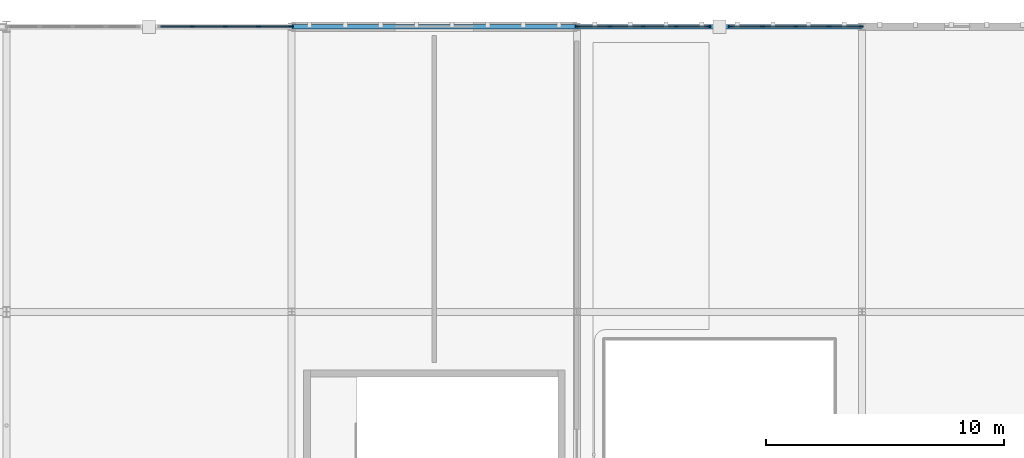
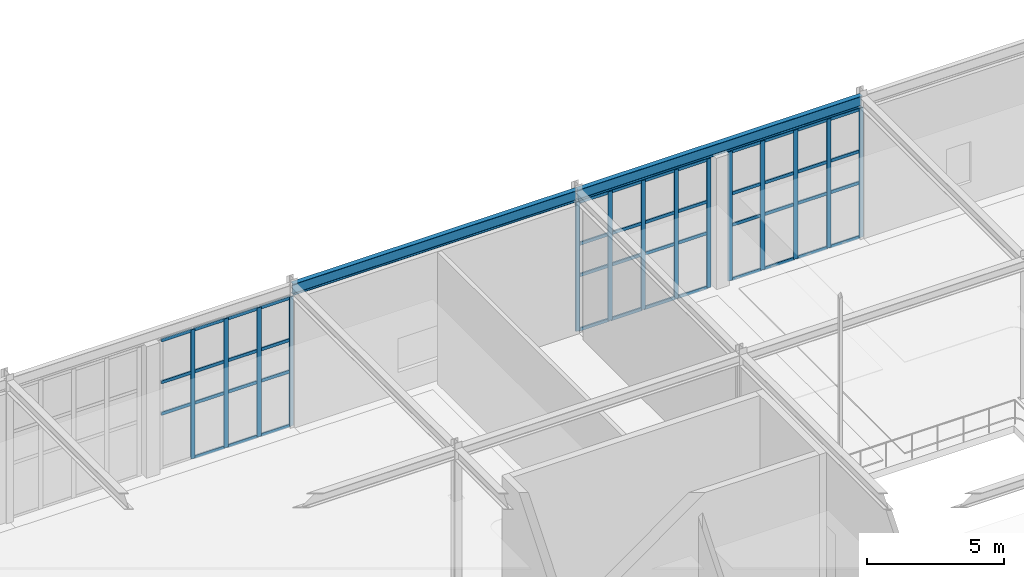
# One storey, part 23 of 62: 61 members, 2 beams, 3 elements without a shape of their own.
"""IFC4 building model written with IfcOpenShell, lengths in metres."""

from ifc_helpers import new_model, si_unit, direction, frame, origin, origin_2d, place, context, subcontext, project, spatial, rectangle, i_section, extrude, material, layer, layer_set, material_profile, profile_set, type_object, element, aggregate, save


model = new_model("IFC4")

# Units and contexts
model_context = context("Model", 3, precision=1e-05, world=origin(), true_north=direction((0.0, 1.0)))
body_context = subcontext(model_context, "Body", "Model", "MODEL_VIEW")
ifc_project = project(units=[si_unit("LENGTHUNIT", "METRE"), si_unit("AREAUNIT", "SQUARE_METRE"), si_unit("VOLUMEUNIT", "CUBIC_METRE"), si_unit("PLANEANGLEUNIT", "RADIAN"), si_unit("MASSUNIT", "GRAM", prefix="KILO")], contexts=[model_context])

# Site, building, storey
site_placement = place(None, origin())
site = spatial("IfcSite", under=ifc_project, at=site_placement, CompositionType="ELEMENT")
building_placement = place(site_placement, origin())
building = spatial("IfcBuilding", under=site, at=building_placement, Name="Zlatogorsky Bluff Art Gallery", CompositionType="ELEMENT")
storey_placement = place(building_placement, frame((0.0, 0.0, 16.800048828125)))
storey = spatial("IfcBuildingStorey", under=building, at=storey_placement, Name="L03", CompositionType="ELEMENT", Elevation=16.800048828125)

# Beams
ifc_material_1 = material(Name="Steel S355", Category="steel")
ifc_material_profile_1 = material_profile(ifc_material_1, i_section(OverallWidth=0.199951171875, OverallDepth=0.5, WebThickness=0.01025390625, FlangeThickness=0.01611328125, FilletRadius=0.02099609375, at=origin_2d()), Name="IPE 500")
ifc_profile_set_1 = profile_set([ifc_material_profile_1], Name="Steel S355")
beam_type = type_object("IfcBeamType", Name="Beam SP-01 IPE 500", PredefinedType="SPANDREL", material=ifc_profile_set_1)
for number, where, z_axis, x_axis, name in (
    (1, (36.014892578125, 120.0, 6.079833984375), (1.0, 0.0, 0.0), (0.0, 1.0, 0.0), "Primary girder SP-01 L03 D-E/12"),
    (2, (48.014892578125, 120.0, 6.079833984375), (1.0, 0.0, 0.0), (0.0, 1.0, 0.0), "Primary girder SP-01 L03 E-F/12"),
):
    element("IfcBeam", number, at=place(storey_placement, frame(where, z_axis=z_axis, x_axis=x_axis)), inside=storey, type_object=beam_type, Name=name, PredefinedType="SPANDREL", context=body_context, shape_type="SweptSolid", body=[
        extrude(i_section(OverallWidth=0.199951171875, OverallDepth=0.5, WebThickness=0.01025390625, FlangeThickness=0.01611328125, FilletRadius=0.02099609375, at=origin_2d()), origin(), (0.0, 0.0, 1.0), 11.97021484375),
    ])

# Curtain wall, members
ifc_material_2 = material(Name="Anodised Bronze Aluminium and Low-Iron Triple Glazing", Category="aluminium")
ifc_layer = layer(ifc_material_2, 0.199951171875)
ifc_layer_set = layer_set([ifc_layer], Name="Curtain Wall CW-02")
curtain_wall_type = type_object("IfcCurtainWallType", Name="Curtain Wall CW-02", PredefinedType="USERDEFINED", material=ifc_layer_set)
curtain_wall_1_placement = place(storey_placement, origin())
curtain_wall_1 = element("IfcCurtainWall", 3, at=curtain_wall_1_placement, inside=storey, type_object=curtain_wall_type, Name="Unitised curtain wall CW-02 L03 N 2.10-A", ObjectType="CURTAIN WALL", PredefinedType="USERDEFINED")
ifc_material_3 = material(Name="Anodised Bronze Aluminium", Category="aluminium")
ifc_material_profile_2 = material_profile(ifc_material_3, rectangle(XDim=0.06494140625, YDim=0.179931640625, at=origin_2d()), Name="ALU MULLION 65x180")
ifc_profile_set_2 = profile_set([ifc_material_profile_2], Name="Anodised Bronze Aluminium")
member_type_1 = type_object("IfcMemberType", Name="Curtain Mullion ML-01", PredefinedType="MULLION", material=ifc_profile_set_2)
member_1_placement = place(storey_placement, frame((35.967529296875, 120.0, 0.0), z_axis=(0.0, 0.0, 1.0), x_axis=(0.0, -1.0, 0.0)))
member_1 = element("IfcMember", 4, at=member_1_placement, type_object=member_type_1, Name="CW-02 mullion 1", PredefinedType="MULLION", context=body_context, shape_type="SweptSolid", body=[
    extrude(rectangle(XDim=0.06494140625, YDim=0.179931640625, at=origin_2d()), origin(), (0.0, 0.0, 1.0), 5.75),
])
member_2_placement = place(storey_placement, frame((34.60498046875, 120.0, 0.0), z_axis=(0.0, 0.0, 1.0), x_axis=(0.0, -1.0, 0.0)))
member_2 = element("IfcMember", 5, at=member_2_placement, type_object=member_type_1, Name="CW-02 mullion 2", PredefinedType="MULLION", context=body_context, shape_type="SweptSolid", body=[
    extrude(rectangle(XDim=0.06494140625, YDim=0.179931640625, at=origin_2d()), origin(), (0.0, 0.0, 1.0), 5.75),
])
member_3_placement = place(storey_placement, frame((33.2099609375, 120.0, 0.0), z_axis=(0.0, 0.0, 1.0), x_axis=(0.0, -1.0, 0.0)))
member_3 = element("IfcMember", 6, at=member_3_placement, type_object=member_type_1, Name="CW-02 mullion 3", PredefinedType="MULLION", context=body_context, shape_type="SweptSolid", body=[
    extrude(rectangle(XDim=0.06494140625, YDim=0.179931640625, at=origin_2d()), origin(), (0.0, 0.0, 1.0), 5.75),
])
member_4_placement = place(storey_placement, frame((31.81494140625, 120.0, 0.0), z_axis=(0.0, 0.0, 1.0), x_axis=(0.0, -1.0, 0.0)))
member_4 = element("IfcMember", 7, at=member_4_placement, type_object=member_type_1, Name="CW-02 mullion 4", PredefinedType="MULLION", context=body_context, shape_type="SweptSolid", body=[
    extrude(rectangle(XDim=0.06494140625, YDim=0.179931640625, at=origin_2d()), origin(), (0.0, 0.0, 1.0), 5.75),
])

curtain_wall_2_placement = place(storey_placement, origin())
curtain_wall_2 = element("IfcCurtainWall", 8, at=curtain_wall_2_placement, inside=storey, type_object=curtain_wall_type, Name="Unitised curtain wall CW-02 L03 N 4.10-A", ObjectType="CURTAIN WALL", PredefinedType="USERDEFINED")
member_5_placement = place(storey_placement, frame((59.967529296875, 120.0, 0.0), z_axis=(0.0, 0.0, 1.0), x_axis=(0.0, -1.0, 0.0)))
member_5 = element("IfcMember", 9, at=member_5_placement, type_object=member_type_1, Name="CW-02 mullion 1", PredefinedType="MULLION", context=body_context, shape_type="SweptSolid", body=[
    extrude(rectangle(XDim=0.06494140625, YDim=0.179931640625, at=origin_2d()), origin(), (0.0, 0.0, 1.0), 5.75),
])
member_6_placement = place(storey_placement, frame((58.60498046875, 120.0, 0.0), z_axis=(0.0, 0.0, 1.0), x_axis=(0.0, -1.0, 0.0)))
member_6 = element("IfcMember", 10, at=member_6_placement, type_object=member_type_1, Name="CW-02 mullion 2", PredefinedType="MULLION", context=body_context, shape_type="SweptSolid", body=[
    extrude(rectangle(XDim=0.06494140625, YDim=0.179931640625, at=origin_2d()), origin(), (0.0, 0.0, 1.0), 5.75),
])
member_7_placement = place(storey_placement, frame((57.2099609375, 120.0, 0.0), z_axis=(0.0, 0.0, 1.0), x_axis=(0.0, -1.0, 0.0)))
member_7 = element("IfcMember", 11, at=member_7_placement, type_object=member_type_1, Name="CW-02 mullion 3", PredefinedType="MULLION", context=body_context, shape_type="SweptSolid", body=[
    extrude(rectangle(XDim=0.06494140625, YDim=0.179931640625, at=origin_2d()), origin(), (0.0, 0.0, 1.0), 5.75),
])
member_8_placement = place(storey_placement, frame((55.81494140625, 120.0, 0.0), z_axis=(0.0, 0.0, 1.0), x_axis=(0.0, -1.0, 0.0)))
member_8 = element("IfcMember", 12, at=member_8_placement, type_object=member_type_1, Name="CW-02 mullion 4", PredefinedType="MULLION", context=body_context, shape_type="SweptSolid", body=[
    extrude(rectangle(XDim=0.06494140625, YDim=0.179931640625, at=origin_2d()), origin(), (0.0, 0.0, 1.0), 5.75),
])
member_9_placement = place(storey_placement, frame((54.452392578125, 120.0, 0.0), z_axis=(0.0, 0.0, 1.0), x_axis=(0.0, -1.0, 0.0)))
member_9 = element("IfcMember", 13, at=member_9_placement, type_object=member_type_1, Name="CW-02 mullion 5", PredefinedType="MULLION", context=body_context, shape_type="SweptSolid", body=[
    extrude(rectangle(XDim=0.06494140625, YDim=0.179931640625, at=origin_2d()), origin(), (0.0, 0.0, 1.0), 5.75),
])

curtain_wall_3_placement = place(storey_placement, origin())
curtain_wall_3 = element("IfcCurtainWall", 14, at=curtain_wall_3_placement, inside=storey, type_object=curtain_wall_type, Name="Unitised curtain wall CW-02 L03 N 4.10-B", ObjectType="CURTAIN WALL", PredefinedType="USERDEFINED")
member_10_placement = place(storey_placement, frame((53.547607421875, 120.0, 0.0), z_axis=(0.0, 0.0, 1.0), x_axis=(0.0, -1.0, 0.0)))
member_10 = element("IfcMember", 15, at=member_10_placement, type_object=member_type_1, Name="CW-02 mullion 1", PredefinedType="MULLION", context=body_context, shape_type="SweptSolid", body=[
    extrude(rectangle(XDim=0.06494140625, YDim=0.179931640625, at=origin_2d()), origin(), (0.0, 0.0, 1.0), 5.75),
])
member_11_placement = place(storey_placement, frame((52.18505859375, 120.0, 0.0), z_axis=(0.0, 0.0, 1.0), x_axis=(0.0, -1.0, 0.0)))
member_11 = element("IfcMember", 16, at=member_11_placement, type_object=member_type_1, Name="CW-02 mullion 2", PredefinedType="MULLION", context=body_context, shape_type="SweptSolid", body=[
    extrude(rectangle(XDim=0.06494140625, YDim=0.179931640625, at=origin_2d()), origin(), (0.0, 0.0, 1.0), 5.75),
])
member_12_placement = place(storey_placement, frame((50.7900390625, 120.0, 0.0), z_axis=(0.0, 0.0, 1.0), x_axis=(0.0, -1.0, 0.0)))
member_12 = element("IfcMember", 17, at=member_12_placement, type_object=member_type_1, Name="CW-02 mullion 3", PredefinedType="MULLION", context=body_context, shape_type="SweptSolid", body=[
    extrude(rectangle(XDim=0.06494140625, YDim=0.179931640625, at=origin_2d()), origin(), (0.0, 0.0, 1.0), 5.75),
])
member_13_placement = place(storey_placement, frame((49.39501953125, 120.0, 0.0), z_axis=(0.0, 0.0, 1.0), x_axis=(0.0, -1.0, 0.0)))
member_13 = element("IfcMember", 18, at=member_13_placement, type_object=member_type_1, Name="CW-02 mullion 4", PredefinedType="MULLION", context=body_context, shape_type="SweptSolid", body=[
    extrude(rectangle(XDim=0.06494140625, YDim=0.179931640625, at=origin_2d()), origin(), (0.0, 0.0, 1.0), 5.75),
])
member_14_placement = place(storey_placement, frame((48.032470703125, 120.0, 0.0), z_axis=(0.0, 0.0, 1.0), x_axis=(0.0, -1.0, 0.0)))
member_14 = element("IfcMember", 19, at=member_14_placement, type_object=member_type_1, Name="CW-02 mullion 5", PredefinedType="MULLION", context=body_context, shape_type="SweptSolid", body=[
    extrude(rectangle(XDim=0.06494140625, YDim=0.179931640625, at=origin_2d()), origin(), (0.0, 0.0, 1.0), 5.75),
])

# Member
ifc_material_profile_3 = material_profile(ifc_material_3, rectangle(XDim=0.06494140625, YDim=0.139892578125, at=origin_2d()), Name="ALU TRANSOM 65x140")
ifc_profile_set_3 = profile_set([ifc_material_profile_3], Name="Anodised Bronze Aluminium")
member_type_2 = type_object("IfcMemberType", Name="Curtain Transom TR-01", PredefinedType="USERDEFINED", material=ifc_profile_set_3)
member_15_placement = place(storey_placement, frame((35.93505859375, 120.0, 0.032470703125), z_axis=(-1.0, 0.0, 0.0), x_axis=(0.0, -1.0, 0.0)))
member_15 = element("IfcMember", 20, at=member_15_placement, type_object=member_type_2, Name="CW-02 transom 1.1", ObjectType="TRANSOM", PredefinedType="USERDEFINED", context=body_context, shape_type="SweptSolid", body=[
    extrude(rectangle(XDim=0.06494140625, YDim=0.139892578125, at=origin_2d()), origin(), (0.0, 0.0, 1.0), 1.297607421875),
])

member_16_placement = place(storey_placement, frame((35.93505859375, 120.0, 2.449951171875), z_axis=(-1.0, 0.0, 0.0), x_axis=(0.0, -1.0, 0.0)))
member_16 = element("IfcMember", 21, at=member_16_placement, type_object=member_type_2, Name="CW-02 transom 1.2", ObjectType="TRANSOM", PredefinedType="USERDEFINED", context=body_context, shape_type="SweptSolid", body=[
    extrude(rectangle(XDim=0.06494140625, YDim=0.139892578125, at=origin_2d()), origin(), (0.0, 0.0, 1.0), 1.297607421875),
])

member_17_placement = place(storey_placement, frame((35.93505859375, 120.0, 3.849853515625), z_axis=(-1.0, 0.0, 0.0), x_axis=(0.0, -1.0, 0.0)))
member_17 = element("IfcMember", 22, at=member_17_placement, type_object=member_type_2, Name="CW-02 transom 1.3", ObjectType="TRANSOM", PredefinedType="USERDEFINED", context=body_context, shape_type="SweptSolid", body=[
    extrude(rectangle(XDim=0.06494140625, YDim=0.139892578125, at=origin_2d()), origin(), (0.0, 0.0, 1.0), 1.297607421875),
])

member_18_placement = place(storey_placement, frame((35.93505859375, 120.0, 5.717529296875), z_axis=(-1.0, 0.0, 0.0), x_axis=(0.0, -1.0, 0.0)))
member_18 = element("IfcMember", 23, at=member_18_placement, type_object=member_type_2, Name="CW-02 transom 1.4", ObjectType="TRANSOM", PredefinedType="USERDEFINED", context=body_context, shape_type="SweptSolid", body=[
    extrude(rectangle(XDim=0.06494140625, YDim=0.139892578125, at=origin_2d()), origin(), (0.0, 0.0, 1.0), 1.297607421875),
])

member_19_placement = place(storey_placement, frame((34.572509765625, 120.0, 0.032470703125), z_axis=(-1.0, 0.0, 0.0), x_axis=(0.0, -1.0, 0.0)))
member_19 = element("IfcMember", 24, at=member_19_placement, type_object=member_type_2, Name="CW-02 transom 2.1", ObjectType="TRANSOM", PredefinedType="USERDEFINED", context=body_context, shape_type="SweptSolid", body=[
    extrude(rectangle(XDim=0.06494140625, YDim=0.139892578125, at=origin_2d()), origin(), (0.0, 0.0, 1.0), 1.330078125),
])

member_20_placement = place(storey_placement, frame((34.572509765625, 120.0, 2.449951171875), z_axis=(-1.0, 0.0, 0.0), x_axis=(0.0, -1.0, 0.0)))
member_20 = element("IfcMember", 25, at=member_20_placement, type_object=member_type_2, Name="CW-02 transom 2.2", ObjectType="TRANSOM", PredefinedType="USERDEFINED", context=body_context, shape_type="SweptSolid", body=[
    extrude(rectangle(XDim=0.06494140625, YDim=0.139892578125, at=origin_2d()), origin(), (0.0, 0.0, 1.0), 1.330078125),
])

member_21_placement = place(storey_placement, frame((34.572509765625, 120.0, 3.849853515625), z_axis=(-1.0, 0.0, 0.0), x_axis=(0.0, -1.0, 0.0)))
member_21 = element("IfcMember", 26, at=member_21_placement, type_object=member_type_2, Name="CW-02 transom 2.3", ObjectType="TRANSOM", PredefinedType="USERDEFINED", context=body_context, shape_type="SweptSolid", body=[
    extrude(rectangle(XDim=0.06494140625, YDim=0.139892578125, at=origin_2d()), origin(), (0.0, 0.0, 1.0), 1.330078125),
])

member_22_placement = place(storey_placement, frame((34.572509765625, 120.0, 5.717529296875), z_axis=(-1.0, 0.0, 0.0), x_axis=(0.0, -1.0, 0.0)))
member_22 = element("IfcMember", 27, at=member_22_placement, type_object=member_type_2, Name="CW-02 transom 2.4", ObjectType="TRANSOM", PredefinedType="USERDEFINED", context=body_context, shape_type="SweptSolid", body=[
    extrude(rectangle(XDim=0.06494140625, YDim=0.139892578125, at=origin_2d()), origin(), (0.0, 0.0, 1.0), 1.330078125),
])

member_23_placement = place(storey_placement, frame((33.177490234375, 120.0, 0.032470703125), z_axis=(-1.0, 0.0, 0.0), x_axis=(0.0, -1.0, 0.0)))
member_23 = element("IfcMember", 28, at=member_23_placement, type_object=member_type_2, Name="CW-02 transom 3.1", ObjectType="TRANSOM", PredefinedType="USERDEFINED", context=body_context, shape_type="SweptSolid", body=[
    extrude(rectangle(XDim=0.06494140625, YDim=0.139892578125, at=origin_2d()), origin(), (0.0, 0.0, 1.0), 1.330078125),
])

member_24_placement = place(storey_placement, frame((33.177490234375, 120.0, 2.449951171875), z_axis=(-1.0, 0.0, 0.0), x_axis=(0.0, -1.0, 0.0)))
member_24 = element("IfcMember", 29, at=member_24_placement, type_object=member_type_2, Name="CW-02 transom 3.2", ObjectType="TRANSOM", PredefinedType="USERDEFINED", context=body_context, shape_type="SweptSolid", body=[
    extrude(rectangle(XDim=0.06494140625, YDim=0.139892578125, at=origin_2d()), origin(), (0.0, 0.0, 1.0), 1.330078125),
])

member_25_placement = place(storey_placement, frame((33.177490234375, 120.0, 3.849853515625), z_axis=(-1.0, 0.0, 0.0), x_axis=(0.0, -1.0, 0.0)))
member_25 = element("IfcMember", 30, at=member_25_placement, type_object=member_type_2, Name="CW-02 transom 3.3", ObjectType="TRANSOM", PredefinedType="USERDEFINED", context=body_context, shape_type="SweptSolid", body=[
    extrude(rectangle(XDim=0.06494140625, YDim=0.139892578125, at=origin_2d()), origin(), (0.0, 0.0, 1.0), 1.330078125),
])

member_26_placement = place(storey_placement, frame((33.177490234375, 120.0, 5.717529296875), z_axis=(-1.0, 0.0, 0.0), x_axis=(0.0, -1.0, 0.0)))
member_26 = element("IfcMember", 31, at=member_26_placement, type_object=member_type_2, Name="CW-02 transom 3.4", ObjectType="TRANSOM", PredefinedType="USERDEFINED", context=body_context, shape_type="SweptSolid", body=[
    extrude(rectangle(XDim=0.06494140625, YDim=0.139892578125, at=origin_2d()), origin(), (0.0, 0.0, 1.0), 1.330078125),
])

member_27_placement = place(storey_placement, frame((31.782470703125, 120.0, 2.449951171875), z_axis=(-1.0, 0.0, 0.0), x_axis=(0.0, -1.0, 0.0)))
member_27 = element("IfcMember", 32, at=member_27_placement, type_object=member_type_2, Name="CW-02 transom 4.2", ObjectType="TRANSOM", PredefinedType="USERDEFINED", context=body_context, shape_type="SweptSolid", body=[
    extrude(rectangle(XDim=0.06494140625, YDim=0.139892578125, at=origin_2d()), origin(), (0.0, 0.0, 1.0), 1.29736328125),
])

member_28_placement = place(storey_placement, frame((31.782470703125, 120.0, 3.849853515625), z_axis=(-1.0, 0.0, 0.0), x_axis=(0.0, -1.0, 0.0)))
member_28 = element("IfcMember", 33, at=member_28_placement, type_object=member_type_2, Name="CW-02 transom 4.3", ObjectType="TRANSOM", PredefinedType="USERDEFINED", context=body_context, shape_type="SweptSolid", body=[
    extrude(rectangle(XDim=0.06494140625, YDim=0.139892578125, at=origin_2d()), origin(), (0.0, 0.0, 1.0), 1.29736328125),
])

member_29_placement = place(storey_placement, frame((31.782470703125, 120.0, 5.717529296875), z_axis=(-1.0, 0.0, 0.0), x_axis=(0.0, -1.0, 0.0)))
member_29 = element("IfcMember", 34, at=member_29_placement, type_object=member_type_2, Name="CW-02 transom 4.4", ObjectType="TRANSOM", PredefinedType="USERDEFINED", context=body_context, shape_type="SweptSolid", body=[
    extrude(rectangle(XDim=0.06494140625, YDim=0.139892578125, at=origin_2d()), origin(), (0.0, 0.0, 1.0), 1.29736328125),
])

aggregate(curtain_wall_1, [member_1, member_2, member_3, member_4, member_15, member_16, member_17, member_18, member_19, member_20, member_21, member_22, member_23, member_24, member_25, member_26, member_27, member_28, member_29])

member_30_placement = place(storey_placement, frame((59.93505859375, 120.0, 0.032470703125), z_axis=(-1.0, 0.0, 0.0), x_axis=(0.0, -1.0, 0.0)))
member_30 = element("IfcMember", 35, at=member_30_placement, type_object=member_type_2, Name="CW-02 transom 1.1", ObjectType="TRANSOM", PredefinedType="USERDEFINED", context=body_context, shape_type="SweptSolid", body=[
    extrude(rectangle(XDim=0.06494140625, YDim=0.139892578125, at=origin_2d()), origin(), (0.0, 0.0, 1.0), 1.297607421875),
])

member_31_placement = place(storey_placement, frame((59.93505859375, 120.0, 2.449951171875), z_axis=(-1.0, 0.0, 0.0), x_axis=(0.0, -1.0, 0.0)))
member_31 = element("IfcMember", 36, at=member_31_placement, type_object=member_type_2, Name="CW-02 transom 1.2", ObjectType="TRANSOM", PredefinedType="USERDEFINED", context=body_context, shape_type="SweptSolid", body=[
    extrude(rectangle(XDim=0.06494140625, YDim=0.139892578125, at=origin_2d()), origin(), (0.0, 0.0, 1.0), 1.297607421875),
])

member_32_placement = place(storey_placement, frame((59.93505859375, 120.0, 3.849853515625), z_axis=(-1.0, 0.0, 0.0), x_axis=(0.0, -1.0, 0.0)))
member_32 = element("IfcMember", 37, at=member_32_placement, type_object=member_type_2, Name="CW-02 transom 1.3", ObjectType="TRANSOM", PredefinedType="USERDEFINED", context=body_context, shape_type="SweptSolid", body=[
    extrude(rectangle(XDim=0.06494140625, YDim=0.139892578125, at=origin_2d()), origin(), (0.0, 0.0, 1.0), 1.297607421875),
])

member_33_placement = place(storey_placement, frame((59.93505859375, 120.0, 5.717529296875), z_axis=(-1.0, 0.0, 0.0), x_axis=(0.0, -1.0, 0.0)))
member_33 = element("IfcMember", 38, at=member_33_placement, type_object=member_type_2, Name="CW-02 transom 1.4", ObjectType="TRANSOM", PredefinedType="USERDEFINED", context=body_context, shape_type="SweptSolid", body=[
    extrude(rectangle(XDim=0.06494140625, YDim=0.139892578125, at=origin_2d()), origin(), (0.0, 0.0, 1.0), 1.297607421875),
])

member_34_placement = place(storey_placement, frame((58.572509765625, 120.0, 0.032470703125), z_axis=(-1.0, 0.0, 0.0), x_axis=(0.0, -1.0, 0.0)))
member_34 = element("IfcMember", 39, at=member_34_placement, type_object=member_type_2, Name="CW-02 transom 2.1", ObjectType="TRANSOM", PredefinedType="USERDEFINED", context=body_context, shape_type="SweptSolid", body=[
    extrude(rectangle(XDim=0.06494140625, YDim=0.139892578125, at=origin_2d()), origin(), (0.0, 0.0, 1.0), 1.330078125),
])

member_35_placement = place(storey_placement, frame((58.572509765625, 120.0, 2.449951171875), z_axis=(-1.0, 0.0, 0.0), x_axis=(0.0, -1.0, 0.0)))
member_35 = element("IfcMember", 40, at=member_35_placement, type_object=member_type_2, Name="CW-02 transom 2.2", ObjectType="TRANSOM", PredefinedType="USERDEFINED", context=body_context, shape_type="SweptSolid", body=[
    extrude(rectangle(XDim=0.06494140625, YDim=0.139892578125, at=origin_2d()), origin(), (0.0, 0.0, 1.0), 1.330078125),
])

member_36_placement = place(storey_placement, frame((58.572509765625, 120.0, 3.849853515625), z_axis=(-1.0, 0.0, 0.0), x_axis=(0.0, -1.0, 0.0)))
member_36 = element("IfcMember", 41, at=member_36_placement, type_object=member_type_2, Name="CW-02 transom 2.3", ObjectType="TRANSOM", PredefinedType="USERDEFINED", context=body_context, shape_type="SweptSolid", body=[
    extrude(rectangle(XDim=0.06494140625, YDim=0.139892578125, at=origin_2d()), origin(), (0.0, 0.0, 1.0), 1.330078125),
])

member_37_placement = place(storey_placement, frame((58.572509765625, 120.0, 5.717529296875), z_axis=(-1.0, 0.0, 0.0), x_axis=(0.0, -1.0, 0.0)))
member_37 = element("IfcMember", 42, at=member_37_placement, type_object=member_type_2, Name="CW-02 transom 2.4", ObjectType="TRANSOM", PredefinedType="USERDEFINED", context=body_context, shape_type="SweptSolid", body=[
    extrude(rectangle(XDim=0.06494140625, YDim=0.139892578125, at=origin_2d()), origin(), (0.0, 0.0, 1.0), 1.330078125),
])

member_38_placement = place(storey_placement, frame((57.177490234375, 120.0, 0.032470703125), z_axis=(-1.0, 0.0, 0.0), x_axis=(0.0, -1.0, 0.0)))
member_38 = element("IfcMember", 43, at=member_38_placement, type_object=member_type_2, Name="CW-02 transom 3.1", ObjectType="TRANSOM", PredefinedType="USERDEFINED", context=body_context, shape_type="SweptSolid", body=[
    extrude(rectangle(XDim=0.06494140625, YDim=0.139892578125, at=origin_2d()), origin(), (0.0, 0.0, 1.0), 1.330078125),
])

member_39_placement = place(storey_placement, frame((57.177490234375, 120.0, 2.449951171875), z_axis=(-1.0, 0.0, 0.0), x_axis=(0.0, -1.0, 0.0)))
member_39 = element("IfcMember", 44, at=member_39_placement, type_object=member_type_2, Name="CW-02 transom 3.2", ObjectType="TRANSOM", PredefinedType="USERDEFINED", context=body_context, shape_type="SweptSolid", body=[
    extrude(rectangle(XDim=0.06494140625, YDim=0.139892578125, at=origin_2d()), origin(), (0.0, 0.0, 1.0), 1.330078125),
])

member_40_placement = place(storey_placement, frame((57.177490234375, 120.0, 3.849853515625), z_axis=(-1.0, 0.0, 0.0), x_axis=(0.0, -1.0, 0.0)))
member_40 = element("IfcMember", 45, at=member_40_placement, type_object=member_type_2, Name="CW-02 transom 3.3", ObjectType="TRANSOM", PredefinedType="USERDEFINED", context=body_context, shape_type="SweptSolid", body=[
    extrude(rectangle(XDim=0.06494140625, YDim=0.139892578125, at=origin_2d()), origin(), (0.0, 0.0, 1.0), 1.330078125),
])

member_41_placement = place(storey_placement, frame((57.177490234375, 120.0, 5.717529296875), z_axis=(-1.0, 0.0, 0.0), x_axis=(0.0, -1.0, 0.0)))
member_41 = element("IfcMember", 46, at=member_41_placement, type_object=member_type_2, Name="CW-02 transom 3.4", ObjectType="TRANSOM", PredefinedType="USERDEFINED", context=body_context, shape_type="SweptSolid", body=[
    extrude(rectangle(XDim=0.06494140625, YDim=0.139892578125, at=origin_2d()), origin(), (0.0, 0.0, 1.0), 1.330078125),
])

member_42_placement = place(storey_placement, frame((55.782470703125, 120.0, 0.032470703125), z_axis=(-1.0, 0.0, 0.0), x_axis=(0.0, -1.0, 0.0)))
member_42 = element("IfcMember", 47, at=member_42_placement, type_object=member_type_2, Name="CW-02 transom 4.1", ObjectType="TRANSOM", PredefinedType="USERDEFINED", context=body_context, shape_type="SweptSolid", body=[
    extrude(rectangle(XDim=0.06494140625, YDim=0.139892578125, at=origin_2d()), origin(), (0.0, 0.0, 1.0), 1.29736328125),
])

member_43_placement = place(storey_placement, frame((55.782470703125, 120.0, 2.449951171875), z_axis=(-1.0, 0.0, 0.0), x_axis=(0.0, -1.0, 0.0)))
member_43 = element("IfcMember", 48, at=member_43_placement, type_object=member_type_2, Name="CW-02 transom 4.2", ObjectType="TRANSOM", PredefinedType="USERDEFINED", context=body_context, shape_type="SweptSolid", body=[
    extrude(rectangle(XDim=0.06494140625, YDim=0.139892578125, at=origin_2d()), origin(), (0.0, 0.0, 1.0), 1.29736328125),
])

member_44_placement = place(storey_placement, frame((55.782470703125, 120.0, 3.849853515625), z_axis=(-1.0, 0.0, 0.0), x_axis=(0.0, -1.0, 0.0)))
member_44 = element("IfcMember", 49, at=member_44_placement, type_object=member_type_2, Name="CW-02 transom 4.3", ObjectType="TRANSOM", PredefinedType="USERDEFINED", context=body_context, shape_type="SweptSolid", body=[
    extrude(rectangle(XDim=0.06494140625, YDim=0.139892578125, at=origin_2d()), origin(), (0.0, 0.0, 1.0), 1.29736328125),
])

member_45_placement = place(storey_placement, frame((55.782470703125, 120.0, 5.717529296875), z_axis=(-1.0, 0.0, 0.0), x_axis=(0.0, -1.0, 0.0)))
member_45 = element("IfcMember", 50, at=member_45_placement, type_object=member_type_2, Name="CW-02 transom 4.4", ObjectType="TRANSOM", PredefinedType="USERDEFINED", context=body_context, shape_type="SweptSolid", body=[
    extrude(rectangle(XDim=0.06494140625, YDim=0.139892578125, at=origin_2d()), origin(), (0.0, 0.0, 1.0), 1.29736328125),
])

aggregate(curtain_wall_2, [member_5, member_6, member_7, member_8, member_9, member_30, member_31, member_32, member_33, member_34, member_35, member_36, member_37, member_38, member_39, member_40, member_41, member_42, member_43, member_44, member_45])

member_46_placement = place(storey_placement, frame((53.514892578125, 120.0, 0.032470703125), z_axis=(-1.0, 0.0, 0.0), x_axis=(0.0, -1.0, 0.0)))
member_46 = element("IfcMember", 51, at=member_46_placement, type_object=member_type_2, Name="CW-02 transom 1.1", ObjectType="TRANSOM", PredefinedType="USERDEFINED", context=body_context, shape_type="SweptSolid", body=[
    extrude(rectangle(XDim=0.06494140625, YDim=0.139892578125, at=origin_2d()), origin(), (0.0, 0.0, 1.0), 1.29736328125),
])

member_47_placement = place(storey_placement, frame((53.514892578125, 120.0, 2.449951171875), z_axis=(-1.0, 0.0, 0.0), x_axis=(0.0, -1.0, 0.0)))
member_47 = element("IfcMember", 52, at=member_47_placement, type_object=member_type_2, Name="CW-02 transom 1.2", ObjectType="TRANSOM", PredefinedType="USERDEFINED", context=body_context, shape_type="SweptSolid", body=[
    extrude(rectangle(XDim=0.06494140625, YDim=0.139892578125, at=origin_2d()), origin(), (0.0, 0.0, 1.0), 1.29736328125),
])

member_48_placement = place(storey_placement, frame((53.514892578125, 120.0, 3.849853515625), z_axis=(-1.0, 0.0, 0.0), x_axis=(0.0, -1.0, 0.0)))
member_48 = element("IfcMember", 53, at=member_48_placement, type_object=member_type_2, Name="CW-02 transom 1.3", ObjectType="TRANSOM", PredefinedType="USERDEFINED", context=body_context, shape_type="SweptSolid", body=[
    extrude(rectangle(XDim=0.06494140625, YDim=0.139892578125, at=origin_2d()), origin(), (0.0, 0.0, 1.0), 1.29736328125),
])

member_49_placement = place(storey_placement, frame((53.514892578125, 120.0, 5.717529296875), z_axis=(-1.0, 0.0, 0.0), x_axis=(0.0, -1.0, 0.0)))
member_49 = element("IfcMember", 54, at=member_49_placement, type_object=member_type_2, Name="CW-02 transom 1.4", ObjectType="TRANSOM", PredefinedType="USERDEFINED", context=body_context, shape_type="SweptSolid", body=[
    extrude(rectangle(XDim=0.06494140625, YDim=0.139892578125, at=origin_2d()), origin(), (0.0, 0.0, 1.0), 1.29736328125),
])

member_50_placement = place(storey_placement, frame((52.152587890625, 120.0, 0.032470703125), z_axis=(-1.0, 0.0, 0.0), x_axis=(0.0, -1.0, 0.0)))
member_50 = element("IfcMember", 55, at=member_50_placement, type_object=member_type_2, Name="CW-02 transom 2.1", ObjectType="TRANSOM", PredefinedType="USERDEFINED", context=body_context, shape_type="SweptSolid", body=[
    extrude(rectangle(XDim=0.06494140625, YDim=0.139892578125, at=origin_2d()), origin(), (0.0, 0.0, 1.0), 1.330078125),
])

member_51_placement = place(storey_placement, frame((52.152587890625, 120.0, 2.449951171875), z_axis=(-1.0, 0.0, 0.0), x_axis=(0.0, -1.0, 0.0)))
member_51 = element("IfcMember", 56, at=member_51_placement, type_object=member_type_2, Name="CW-02 transom 2.2", ObjectType="TRANSOM", PredefinedType="USERDEFINED", context=body_context, shape_type="SweptSolid", body=[
    extrude(rectangle(XDim=0.06494140625, YDim=0.139892578125, at=origin_2d()), origin(), (0.0, 0.0, 1.0), 1.330078125),
])

member_52_placement = place(storey_placement, frame((52.152587890625, 120.0, 3.849853515625), z_axis=(-1.0, 0.0, 0.0), x_axis=(0.0, -1.0, 0.0)))
member_52 = element("IfcMember", 57, at=member_52_placement, type_object=member_type_2, Name="CW-02 transom 2.3", ObjectType="TRANSOM", PredefinedType="USERDEFINED", context=body_context, shape_type="SweptSolid", body=[
    extrude(rectangle(XDim=0.06494140625, YDim=0.139892578125, at=origin_2d()), origin(), (0.0, 0.0, 1.0), 1.330078125),
])

member_53_placement = place(storey_placement, frame((52.152587890625, 120.0, 5.717529296875), z_axis=(-1.0, 0.0, 0.0), x_axis=(0.0, -1.0, 0.0)))
member_53 = element("IfcMember", 58, at=member_53_placement, type_object=member_type_2, Name="CW-02 transom 2.4", ObjectType="TRANSOM", PredefinedType="USERDEFINED", context=body_context, shape_type="SweptSolid", body=[
    extrude(rectangle(XDim=0.06494140625, YDim=0.139892578125, at=origin_2d()), origin(), (0.0, 0.0, 1.0), 1.330078125),
])

member_54_placement = place(storey_placement, frame((50.757568359375, 120.0, 0.032470703125), z_axis=(-1.0, 0.0, 0.0), x_axis=(0.0, -1.0, 0.0)))
member_54 = element("IfcMember", 59, at=member_54_placement, type_object=member_type_2, Name="CW-02 transom 3.1", ObjectType="TRANSOM", PredefinedType="USERDEFINED", context=body_context, shape_type="SweptSolid", body=[
    extrude(rectangle(XDim=0.06494140625, YDim=0.139892578125, at=origin_2d()), origin(), (0.0, 0.0, 1.0), 1.330078125),
])

member_55_placement = place(storey_placement, frame((50.757568359375, 120.0, 2.449951171875), z_axis=(-1.0, 0.0, 0.0), x_axis=(0.0, -1.0, 0.0)))
member_55 = element("IfcMember", 60, at=member_55_placement, type_object=member_type_2, Name="CW-02 transom 3.2", ObjectType="TRANSOM", PredefinedType="USERDEFINED", context=body_context, shape_type="SweptSolid", body=[
    extrude(rectangle(XDim=0.06494140625, YDim=0.139892578125, at=origin_2d()), origin(), (0.0, 0.0, 1.0), 1.330078125),
])

member_56_placement = place(storey_placement, frame((50.757568359375, 120.0, 3.849853515625), z_axis=(-1.0, 0.0, 0.0), x_axis=(0.0, -1.0, 0.0)))
member_56 = element("IfcMember", 61, at=member_56_placement, type_object=member_type_2, Name="CW-02 transom 3.3", ObjectType="TRANSOM", PredefinedType="USERDEFINED", context=body_context, shape_type="SweptSolid", body=[
    extrude(rectangle(XDim=0.06494140625, YDim=0.139892578125, at=origin_2d()), origin(), (0.0, 0.0, 1.0), 1.330078125),
])

member_57_placement = place(storey_placement, frame((50.757568359375, 120.0, 5.717529296875), z_axis=(-1.0, 0.0, 0.0), x_axis=(0.0, -1.0, 0.0)))
member_57 = element("IfcMember", 62, at=member_57_placement, type_object=member_type_2, Name="CW-02 transom 3.4", ObjectType="TRANSOM", PredefinedType="USERDEFINED", context=body_context, shape_type="SweptSolid", body=[
    extrude(rectangle(XDim=0.06494140625, YDim=0.139892578125, at=origin_2d()), origin(), (0.0, 0.0, 1.0), 1.330078125),
])

member_58_placement = place(storey_placement, frame((49.362548828125, 120.0, 0.032470703125), z_axis=(-1.0, 0.0, 0.0), x_axis=(0.0, -1.0, 0.0)))
member_58 = element("IfcMember", 63, at=member_58_placement, type_object=member_type_2, Name="CW-02 transom 4.1", ObjectType="TRANSOM", PredefinedType="USERDEFINED", context=body_context, shape_type="SweptSolid", body=[
    extrude(rectangle(XDim=0.06494140625, YDim=0.139892578125, at=origin_2d()), origin(), (0.0, 0.0, 1.0), 1.297607421875),
])

member_59_placement = place(storey_placement, frame((49.362548828125, 120.0, 2.449951171875), z_axis=(-1.0, 0.0, 0.0), x_axis=(0.0, -1.0, 0.0)))
member_59 = element("IfcMember", 64, at=member_59_placement, type_object=member_type_2, Name="CW-02 transom 4.2", ObjectType="TRANSOM", PredefinedType="USERDEFINED", context=body_context, shape_type="SweptSolid", body=[
    extrude(rectangle(XDim=0.06494140625, YDim=0.139892578125, at=origin_2d()), origin(), (0.0, 0.0, 1.0), 1.297607421875),
])

member_60_placement = place(storey_placement, frame((49.362548828125, 120.0, 3.849853515625), z_axis=(-1.0, 0.0, 0.0), x_axis=(0.0, -1.0, 0.0)))
member_60 = element("IfcMember", 65, at=member_60_placement, type_object=member_type_2, Name="CW-02 transom 4.3", ObjectType="TRANSOM", PredefinedType="USERDEFINED", context=body_context, shape_type="SweptSolid", body=[
    extrude(rectangle(XDim=0.06494140625, YDim=0.139892578125, at=origin_2d()), origin(), (0.0, 0.0, 1.0), 1.297607421875),
])

member_61_placement = place(storey_placement, frame((49.362548828125, 120.0, 5.717529296875), z_axis=(-1.0, 0.0, 0.0), x_axis=(0.0, -1.0, 0.0)))
member_61 = element("IfcMember", 66, at=member_61_placement, type_object=member_type_2, Name="CW-02 transom 4.4", ObjectType="TRANSOM", PredefinedType="USERDEFINED", context=body_context, shape_type="SweptSolid", body=[
    extrude(rectangle(XDim=0.06494140625, YDim=0.139892578125, at=origin_2d()), origin(), (0.0, 0.0, 1.0), 1.297607421875),
])

aggregate(curtain_wall_3, [member_10, member_11, member_12, member_13, member_14, member_46, member_47, member_48, member_49, member_50, member_51, member_52, member_53, member_54, member_55, member_56, member_57, member_58, member_59, member_60, member_61])

save(model, "model.ifc")
